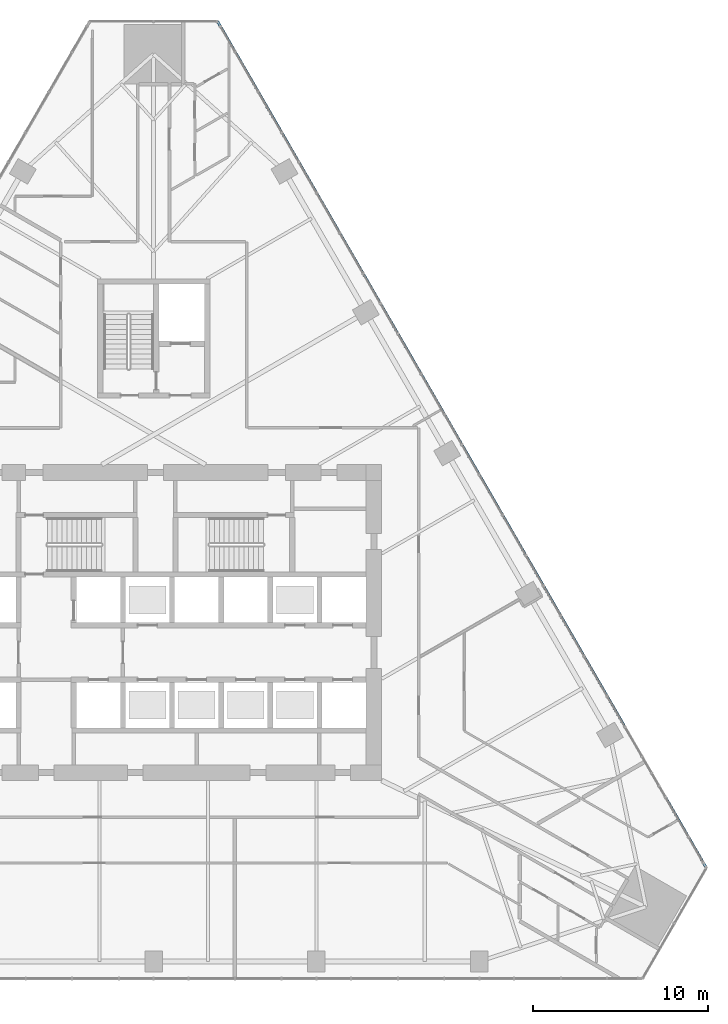
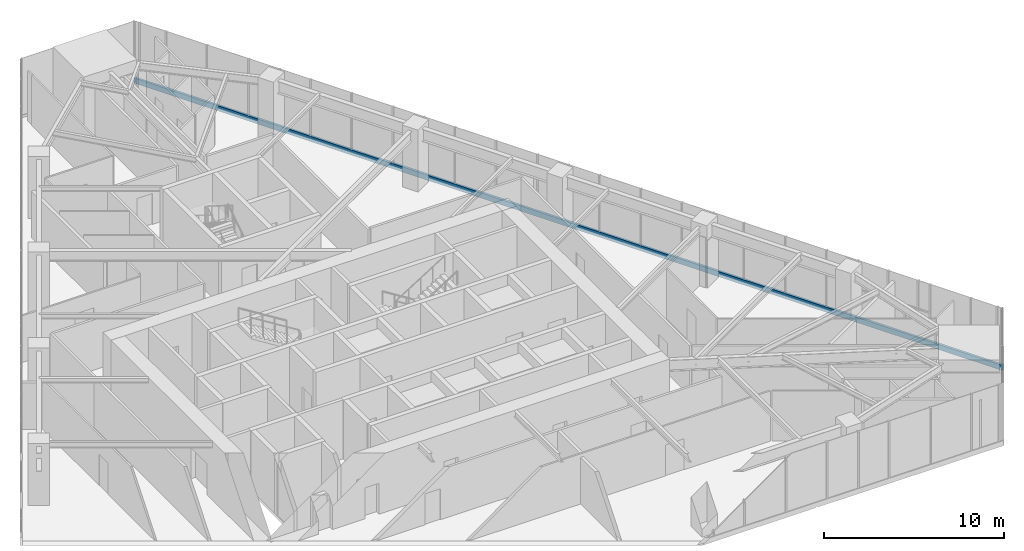
# One storey, part 8 of 22: 1 member, 1 element without a shape of its own.
"""IFC4 building model written with IfcOpenShell, lengths in metres."""

import ifcopenshell
import ifcopenshell.guid

model = None  # the IFC model being written
_history = None  # IfcOwnerHistory: only IFC2X3 demands one
_inside = {}  # id of a spatial element -> (the spatial element, [elements in it])
_under = {}  # id of a project, library or spatial element -> (it, [spatial elements below it])
_declared = {}  # id of a project -> (the project, [libraries it declares])
_typed = {}  # id of a type object -> (the type object, [elements of that type])
_made_of = {}  # id of a material, layer set ... -> (it, [elements and type objects made of it])


def new_model(schema):
    """Start an empty IFC model of exactly this schema.

    Asked for "IFC4X3", IfcOpenShell would pick the latest addendum, in which some entities
    have other attributes; the version numbers below select the first issue.
    IFC2X3 requires an IfcOwnerHistory on every rooted entity: one is made here for all.
    """
    global model, _history
    if schema == "IFC4X3":
        model = ifcopenshell.file(schema_version=(4, 3, 0, 0))
    else:
        model = ifcopenshell.file(schema=schema)
    _inside.clear()
    _under.clear()
    _declared.clear()
    _typed.clear()
    _made_of.clear()
    _history = None
    if model.schema == "IFC2X3":
        org = make("IfcOrganization", Name="unknown")
        user = make(
            "IfcPersonAndOrganization",
            ThePerson=make("IfcPerson", FamilyName="unknown"),
            TheOrganization=org,
        )
        app = make(
            "IfcApplication",
            ApplicationDeveloper=org,
            Version="unknown",
            ApplicationFullName="unknown",
            ApplicationIdentifier="unknown",
        )
        _history = make(
            "IfcOwnerHistory",
            OwningUser=user,
            OwningApplication=app,
            ChangeAction="ADDED",
            CreationDate=0,
        )
    return model


def make(cls, **values):
    """One entity of the class cls with the attributes given. An attribute that is None is left unset."""
    return model.create_entity(
        cls, **{name: value for name, value in values.items() if value is not None}
    )


def rooted(cls, **values):
    """An entity with a GlobalId (a new one), such as an element, a storey or a relation."""
    return make(cls, GlobalId=ifcopenshell.guid.new(), OwnerHistory=_history, **values)


def si_unit(unit_type, name, prefix=None):
    """IfcSIUnit, for example si_unit("LENGTHUNIT", "METRE", prefix="MILLI")."""
    return make("IfcSIUnit", UnitType=unit_type, Prefix=prefix, Name=name)


def assignment(units):
    """IfcUnitAssignment: the units of a project."""
    return None if units is None else make("IfcUnitAssignment", Units=units)


def point(xyz):
    """IfcCartesianPoint."""
    return None if xyz is None else make("IfcCartesianPoint", Coordinates=xyz)


def direction(xyz):
    """IfcDirection."""
    return None if xyz is None else make("IfcDirection", DirectionRatios=xyz)


def frame(location, z_axis=None, x_axis=None):
    """IfcAxis2Placement3D, a coordinate frame: its origin and axes. An axis left out is left unset."""
    return make(
        "IfcAxis2Placement3D",
        Location=point(location),
        Axis=direction(z_axis),
        RefDirection=direction(x_axis),
    )


def frame_2d(location, x_axis=None):
    """IfcAxis2Placement2D, a coordinate frame in the plane: its origin and x axis."""
    return make(
        "IfcAxis2Placement2D", Location=point(location), RefDirection=direction(x_axis)
    )


def origin():
    """The frame at (0, 0, 0) with its axes left unset."""
    return frame((0.0, 0.0, 0.0))


def origin_2d():
    """The frame at (0, 0) in the plane with its x axis left unset."""
    return frame_2d((0.0, 0.0))


def place(relative_to, where):
    """IfcLocalPlacement: puts the frame where relative to a parent placement (None: the world)."""
    return make(
        "IfcLocalPlacement", PlacementRelTo=relative_to, RelativePlacement=where
    )


def context(
    kind, dimensions, precision=None, world=None, true_north=None, identifier=None
):
    """IfcGeometricRepresentationContext, for example the 3D "Model" context."""
    return make(
        "IfcGeometricRepresentationContext",
        ContextIdentifier=identifier,
        ContextType=kind,
        CoordinateSpaceDimension=dimensions,
        Precision=precision,
        WorldCoordinateSystem=world,
        TrueNorth=true_north,
    )


def subcontext(parent, identifier, kind, view, scale=None):
    """IfcGeometricRepresentationSubContext, for example "Body" below "Model"."""
    return make(
        "IfcGeometricRepresentationSubContext",
        ContextIdentifier=identifier,
        ContextType=kind,
        ParentContext=parent,
        TargetScale=scale,
        TargetView=view,
    )


def project(units=None, contexts=None):
    """IfcProject with its units and contexts."""
    return rooted(
        "IfcProject",
        Name="project",
        RepresentationContexts=contexts,
        UnitsInContext=assignment(units),
    )


def spatial(cls, under=None, at=None, **own):
    """A site, building, storey or space (cls), placed at a placement, below another one or the project."""
    s = rooted(cls, ObjectPlacement=at, **own)
    if under is not None:
        _under.setdefault(under.id(), (under, []))[1].append(s)
    return s


def profile(cls, at=None, kind="AREA", **sizes):
    """A parametric profile (cls). Its sizes go by their IFC names, for example OverallWidth=200.0."""
    return make(cls, ProfileType=kind, Position=at, **sizes)


def rectangle(**sizes):
    """IfcRectangleProfileDef."""
    return profile("IfcRectangleProfileDef", **sizes)


def extrude(swept, where, along, depth):
    """IfcExtrudedAreaSolid: the profile swept, set in the frame where, extruded along a direction by depth."""
    return make(
        "IfcExtrudedAreaSolid",
        SweptArea=swept,
        Position=where,
        ExtrudedDirection=direction(along),
        Depth=depth,
    )


def shape(context_of_items, identifier, shape_type, items):
    """IfcShapeRepresentation: the items that make up one representation, for example the "Body"."""
    return make(
        "IfcShapeRepresentation",
        ContextOfItems=context_of_items,
        RepresentationIdentifier=identifier,
        RepresentationType=shape_type,
        Items=items,
    )


def material(Name=None, Category=None):
    """IfcMaterial."""
    return make("IfcMaterial", Name=Name, Category=Category)


def layer(
    of_material, thickness, ventilated=None, Name=None, Category=None, Priority=None
):
    """IfcMaterialLayer: one layer of a wall or slab, of a material (None: an air gap)."""
    return make(
        "IfcMaterialLayer",
        Material=of_material,
        LayerThickness=thickness,
        IsVentilated=ventilated,
        Name=Name,
        Category=Category,
        Priority=Priority,
    )


def layer_set(layers, Name=None):
    """IfcMaterialLayerSet."""
    return make("IfcMaterialLayerSet", MaterialLayers=layers, LayerSetName=Name)


def material_profile(
    of_material, cross_section, Name=None, Category=None, Priority=None
):
    """IfcMaterialProfile: a cross section and its material."""
    return make(
        "IfcMaterialProfile",
        Name=Name,
        Material=of_material,
        Profile=cross_section,
        Priority=Priority,
        Category=Category,
    )


def profile_set(profiles, Name=None, composite=None):
    """IfcMaterialProfileSet."""
    return make(
        "IfcMaterialProfileSet",
        Name=Name,
        MaterialProfiles=profiles,
        CompositeProfile=composite,
    )


def made_of(thing, what):
    """Note that an element or type object is made of a material, layer set ...; save() writes the relation."""
    if what is not None:
        _made_of.setdefault(what.id(), (what, []))[1].append(thing)
    return thing


def type_object(cls, material=None, **own):
    """A type object (cls), such as IfcWallType, which elements share."""
    return made_of(rooted(cls, **own), material)


def element(
    cls,
    number,
    at=None,
    inside=None,
    cuts=None,
    type_object=None,
    material=None,
    context=None,
    identifier="Body",
    shape_type=None,
    held_by="IfcProductDefinitionShape",
    body=None,
    shapes=None,
    **own,
):
    """One element of the class cls, such as IfcWall. Its Tag is "e" and its number.

    at: its placement. inside: the storey or other place that contains it. cuts: it is an
    opening in that element (IfcRelVoidsElement). A single representation is given by context,
    identifier, shape_type and body (its items); several are given by shapes. held_by: the class
    of the entity that holds the representations. save() writes the other relations.
    """
    e = rooted(cls, Tag="e%d" % number, ObjectPlacement=at, **own)
    if body is not None:
        shapes = [shape(context, identifier, shape_type, body)]
    if shapes is not None:
        e.Representation = make(held_by, Representations=shapes)
    if inside is not None:
        _inside.setdefault(inside.id(), (inside, []))[1].append(e)
    if cuts is not None:
        rooted(
            "IfcRelVoidsElement", RelatingBuildingElement=cuts, RelatedOpeningElement=e
        )
    if type_object is not None:
        _typed.setdefault(type_object.id(), (type_object, []))[1].append(e)
    return made_of(e, material)


def aggregate(whole, parts):
    """IfcRelAggregates: a whole, such as a stair, and the parts it consists of."""
    return rooted("IfcRelAggregates", RelatingObject=whole, RelatedObjects=parts)


def save(model, path):
    """Write the relations noted so far, then the file.

    IfcRelAggregates (storeys below a building ...), IfcRelContainedInSpatialStructure (elements
    in a storey), IfcRelDefinesByType, IfcRelAssociatesMaterial and IfcRelDeclares: one each for
    every whole, place, type object, material and project.
    """
    for whole, parts in _under.values():
        aggregate(whole, parts)
    for where, things in _inside.values():
        rooted(
            "IfcRelContainedInSpatialStructure",
            RelatedElements=things,
            RelatingStructure=where,
        )
    for kind, things in _typed.values():
        rooted("IfcRelDefinesByType", RelatedObjects=things, RelatingType=kind)
    for what, things in _made_of.values():
        rooted("IfcRelAssociatesMaterial", RelatedObjects=things, RelatingMaterial=what)
    for by, libraries in _declared.values():
        rooted("IfcRelDeclares", RelatingContext=by, RelatedDefinitions=libraries)
    model.write(path)


model = new_model("IFC4")

# Units and contexts
model_context = context("Model", 3, precision=1e-05, world=origin(), true_north=direction((0.0, 1.0)))
body_context = subcontext(model_context, "Body", "Model", "MODEL_VIEW")
ifc_project = project(units=[si_unit("LENGTHUNIT", "METRE"), si_unit("AREAUNIT", "SQUARE_METRE"), si_unit("VOLUMEUNIT", "CUBIC_METRE"), si_unit("PLANEANGLEUNIT", "RADIAN"), si_unit("MASSUNIT", "GRAM", prefix="KILO")], contexts=[model_context])

# Site, building, storey
site_placement = place(None, origin())
site = spatial("IfcSite", under=ifc_project, at=site_placement, CompositionType="ELEMENT")
building_placement = place(site_placement, origin())
building = spatial("IfcBuilding", under=site, at=building_placement, Name="Firuza Gate Tower and Library", CompositionType="ELEMENT")
storey_placement = place(building_placement, frame((0.0, 0.0, 132.39990234375)))
storey = spatial("IfcBuildingStorey", under=building, at=storey_placement, Name="L30", CompositionType="ELEMENT", Elevation=132.39990234375)

# Curtain wall, member
ifc_material_1 = material(Name="Aluminium 6063-T6", Category="aluminium")
ifc_layer = layer(ifc_material_1, 0.14990234375)
ifc_layer_set = layer_set([ifc_layer], Name="Unitised curtain wall, offices")
curtain_wall_type = type_object("IfcCurtainWallType", Name="Unitised curtain wall, offices", PredefinedType="NOTDEFINED", material=ifc_layer_set)
curtain_wall_placement = place(storey_placement, origin())
curtain_wall = element("IfcCurtainWall", 1, at=curtain_wall_placement, inside=storey, type_object=curtain_wall_type, Name="CW1 L30 E face", PredefinedType="NOTDEFINED")
ifc_material_2 = material(Name="Aluminium 6063-T6", Category="aluminium")
ifc_material_profile = material_profile(ifc_material_2, rectangle(XDim=0.14990234375, YDim=0.35009765625, at=origin_2d()))
ifc_profile_set = profile_set([ifc_material_profile], Name="Aluminium 6063-T6")
member_type = type_object("IfcMemberType", Name="Curtain wall transom 350x150", PredefinedType="USERDEFINED", material=ifc_profile_set)
member_placement = place(storey_placement, frame((106.50341796875, 61.018310546875, -0.02490234375), z_axis=(-0.499998060823, 0.866026523366, 0.0), x_axis=(-0.866026523366, -0.499998060823, 0.0)))
member = element("IfcMember", 2, at=member_placement, type_object=member_type, Name="Transom", ObjectType="TRANSOM", PredefinedType="USERDEFINED", context=body_context, shape_type="SweptSolid", body=[
    extrude(rectangle(XDim=0.14990234375, YDim=0.35009765625, at=origin_2d()), origin(), (0.0, 0.0, 1.0), 55.720458984375),
])
aggregate(curtain_wall, [member])

save(model, "model.ifc")
